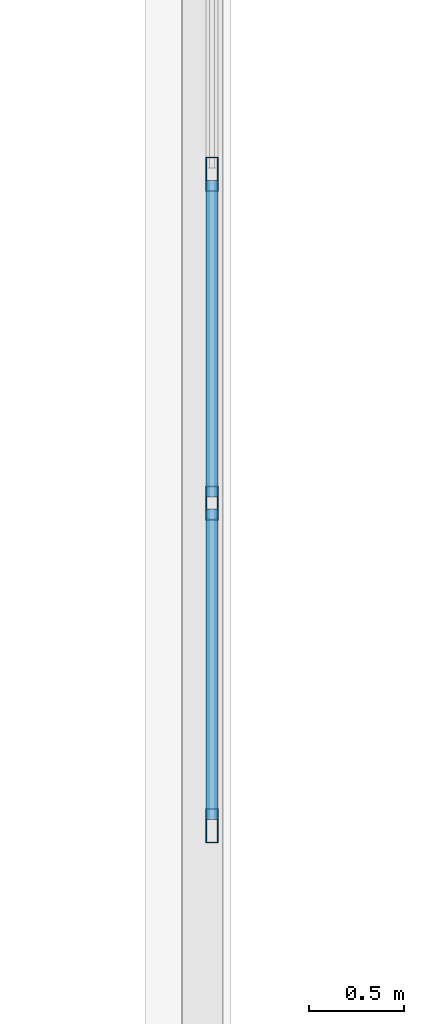
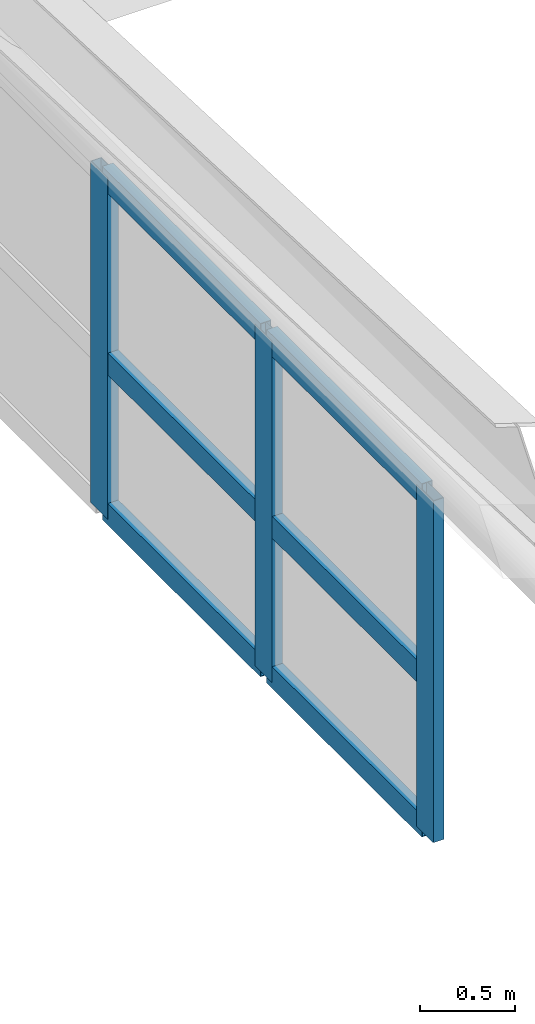
# One storey, part 15 of 128: 9 members, 1 element without a shape of its own.
"""IFC4 building model written with IfcOpenShell, lengths in metres."""

from ifc_helpers import new_model, si_unit, direction, frame, origin, origin_2d, place, context, subcontext, project, spatial, hollow_rectangle, extrude, material, layer, layer_set, material_profile, profile_set, type_object, element, aggregate, save


model = new_model("IFC4")

# Units and contexts
model_context = context("Model", 3, precision=1e-05, world=origin(), true_north=direction((0.0, 1.0)))
body_context = subcontext(model_context, "Body", "Model", "MODEL_VIEW")
ifc_project = project(units=[si_unit("LENGTHUNIT", "METRE"), si_unit("AREAUNIT", "SQUARE_METRE"), si_unit("VOLUMEUNIT", "CUBIC_METRE"), si_unit("PLANEANGLEUNIT", "RADIAN"), si_unit("MASSUNIT", "GRAM", prefix="KILO")], contexts=[model_context])

# Site, building, storey
site_placement = place(None, origin())
site = spatial("IfcSite", under=ifc_project, at=site_placement, CompositionType="ELEMENT")
building_placement = place(site_placement, origin())
building = spatial("IfcBuilding", under=site, at=building_placement, Name="Keldmere Railside Commons", CompositionType="ELEMENT")
storey_placement = place(building_placement, frame((0.0, 0.0, 4.159912109375)))
storey = spatial("IfcBuildingStorey", under=building, at=storey_placement, Name="L01", CompositionType="ELEMENT", Elevation=4.159912109375)

# Curtain wall, members
ifc_material = material(Name="Thermally Broken Aluminium", Category="aluminium")
ifc_layer = layer(ifc_material, 0.159912109375, Name="Community Hall Side Clerestory CW 5200x2200")
ifc_layer_set = layer_set([ifc_layer], Name="Thermally Broken Aluminium")
curtain_wall_type = type_object("IfcCurtainWallType", Name="Community Hall Side Clerestory CW 5200x2200", PredefinedType="NOTDEFINED", material=ifc_layer_set)
curtain_wall_placement = place(storey_placement, origin())
curtain_wall = element("IfcCurtainWall", 1, at=curtain_wall_placement, inside=storey, type_object=curtain_wall_type, Name="CW-06 CW-L01-207", PredefinedType="NOTDEFINED")
ifc_material_profile_1 = material_profile(ifc_material, hollow_rectangle(XDim=0.06494140625, YDim=0.179931640625, WallThickness=0.00390625, at=origin_2d()), Name="ALU-MULL-65x180")
ifc_profile_set_1 = profile_set([ifc_material_profile_1], Name="Thermally Broken Aluminium")
member_type_1 = type_object("IfcMemberType", Name="Civic Tall Curtain Wall Mullion 65x180", PredefinedType="MULLION", material=ifc_profile_set_1)
member_1_placement = place(storey_placement, frame((64.050048828125, 33.232421875, 0.090087890625), z_axis=(0.0, 0.0, 1.0), x_axis=(-1.0, 0.0, 0.0)))
member_1 = element("IfcMember", 2, at=member_1_placement, type_object=member_type_1, Name="CW-06 mullion 1", PredefinedType="MULLION", context=body_context, shape_type="SweptSolid", body=[
    extrude(hollow_rectangle(XDim=0.06494140625, YDim=0.179931640625, WallThickness=0.00390625, at=origin_2d()), origin(), (0.0, 0.0, 1.0), 2.199951171875),
])
member_2_placement = place(storey_placement, frame((64.050048828125, 34.933349609375, 0.090087890625), z_axis=(0.0, 0.0, 1.0), x_axis=(-1.0, 0.0, 0.0)))
member_2 = element("IfcMember", 3, at=member_2_placement, type_object=member_type_1, Name="CW-06 mullion 2", PredefinedType="MULLION", context=body_context, shape_type="SweptSolid", body=[
    extrude(hollow_rectangle(XDim=0.06494140625, YDim=0.179931640625, WallThickness=0.00390625, at=origin_2d()), origin(), (0.0, 0.0, 1.0), 2.199951171875),
])
member_3_placement = place(storey_placement, frame((64.050048828125, 36.666748046875, 0.090087890625), z_axis=(0.0, 0.0, 1.0), x_axis=(-1.0, 0.0, 0.0)))
member_3 = element("IfcMember", 4, at=member_3_placement, type_object=member_type_1, Name="CW-06 mullion 3", PredefinedType="MULLION", context=body_context, shape_type="SweptSolid", body=[
    extrude(hollow_rectangle(XDim=0.06494140625, YDim=0.179931640625, WallThickness=0.00390625, at=origin_2d()), origin(), (0.0, 0.0, 1.0), 2.199951171875),
])
ifc_material_profile_2 = material_profile(ifc_material, hollow_rectangle(XDim=0.06494140625, YDim=0.139892578125, WallThickness=0.00390625, at=origin_2d()), Name="ALU-TRAN-65x140")
ifc_profile_set_2 = profile_set([ifc_material_profile_2], Name="Thermally Broken Aluminium")
member_type_2 = type_object("IfcMemberType", Name="Civic Tall Curtain Wall Transom 65x140", PredefinedType="USERDEFINED", material=ifc_profile_set_2)
member_4_placement = place(storey_placement, frame((64.050048828125, 33.264892578125, 0.12255859375), z_axis=(0.0, 1.0, 0.0), x_axis=(-1.0, 0.0, 0.0)))
member_4 = element("IfcMember", 5, at=member_4_placement, type_object=member_type_2, Name="CW-06 transom 1.1", ObjectType="TRANSOM", PredefinedType="USERDEFINED", context=body_context, shape_type="SweptSolid", body=[
    extrude(hollow_rectangle(XDim=0.06494140625, YDim=0.139892578125, WallThickness=0.00390625, at=origin_2d()), origin(), (0.0, 0.0, 1.0), 1.635986328125),
])
member_5_placement = place(storey_placement, frame((64.050048828125, 33.264892578125, 1.090087890625), z_axis=(0.0, 1.0, 0.0), x_axis=(-1.0, 0.0, 0.0)))
member_5 = element("IfcMember", 6, at=member_5_placement, type_object=member_type_2, Name="CW-06 transom 1.2", ObjectType="TRANSOM", PredefinedType="USERDEFINED", context=body_context, shape_type="SweptSolid", body=[
    extrude(hollow_rectangle(XDim=0.06494140625, YDim=0.139892578125, WallThickness=0.00390625, at=origin_2d()), origin(), (0.0, 0.0, 1.0), 1.635986328125),
])
member_6_placement = place(storey_placement, frame((64.050048828125, 33.264892578125, 2.257568359375), z_axis=(0.0, 1.0, 0.0), x_axis=(-1.0, 0.0, 0.0)))
member_6 = element("IfcMember", 7, at=member_6_placement, type_object=member_type_2, Name="CW-06 transom 1.3", ObjectType="TRANSOM", PredefinedType="USERDEFINED", context=body_context, shape_type="SweptSolid", body=[
    extrude(hollow_rectangle(XDim=0.06494140625, YDim=0.139892578125, WallThickness=0.00390625, at=origin_2d()), origin(), (0.0, 0.0, 1.0), 1.635986328125),
])
member_7_placement = place(storey_placement, frame((64.050048828125, 34.9658203125, 0.12255859375), z_axis=(0.0, 1.0, 0.0), x_axis=(-1.0, 0.0, 0.0)))
member_7 = element("IfcMember", 8, at=member_7_placement, type_object=member_type_2, Name="CW-06 transom 2.1", ObjectType="TRANSOM", PredefinedType="USERDEFINED", context=body_context, shape_type="SweptSolid", body=[
    extrude(hollow_rectangle(XDim=0.06494140625, YDim=0.139892578125, WallThickness=0.00390625, at=origin_2d()), origin(), (0.0, 0.0, 1.0), 1.66845703125),
])
member_8_placement = place(storey_placement, frame((64.050048828125, 34.9658203125, 1.090087890625), z_axis=(0.0, 1.0, 0.0), x_axis=(-1.0, 0.0, 0.0)))
member_8 = element("IfcMember", 9, at=member_8_placement, type_object=member_type_2, Name="CW-06 transom 2.2", ObjectType="TRANSOM", PredefinedType="USERDEFINED", context=body_context, shape_type="SweptSolid", body=[
    extrude(hollow_rectangle(XDim=0.06494140625, YDim=0.139892578125, WallThickness=0.00390625, at=origin_2d()), origin(), (0.0, 0.0, 1.0), 1.66845703125),
])
member_9_placement = place(storey_placement, frame((64.050048828125, 34.9658203125, 2.257568359375), z_axis=(0.0, 1.0, 0.0), x_axis=(-1.0, 0.0, 0.0)))
member_9 = element("IfcMember", 10, at=member_9_placement, type_object=member_type_2, Name="CW-06 transom 2.3", ObjectType="TRANSOM", PredefinedType="USERDEFINED", context=body_context, shape_type="SweptSolid", body=[
    extrude(hollow_rectangle(XDim=0.06494140625, YDim=0.139892578125, WallThickness=0.00390625, at=origin_2d()), origin(), (0.0, 0.0, 1.0), 1.66845703125),
])
aggregate(curtain_wall, [member_1, member_2, member_3, member_4, member_5, member_6, member_7, member_8, member_9])

save(model, "model.ifc")
